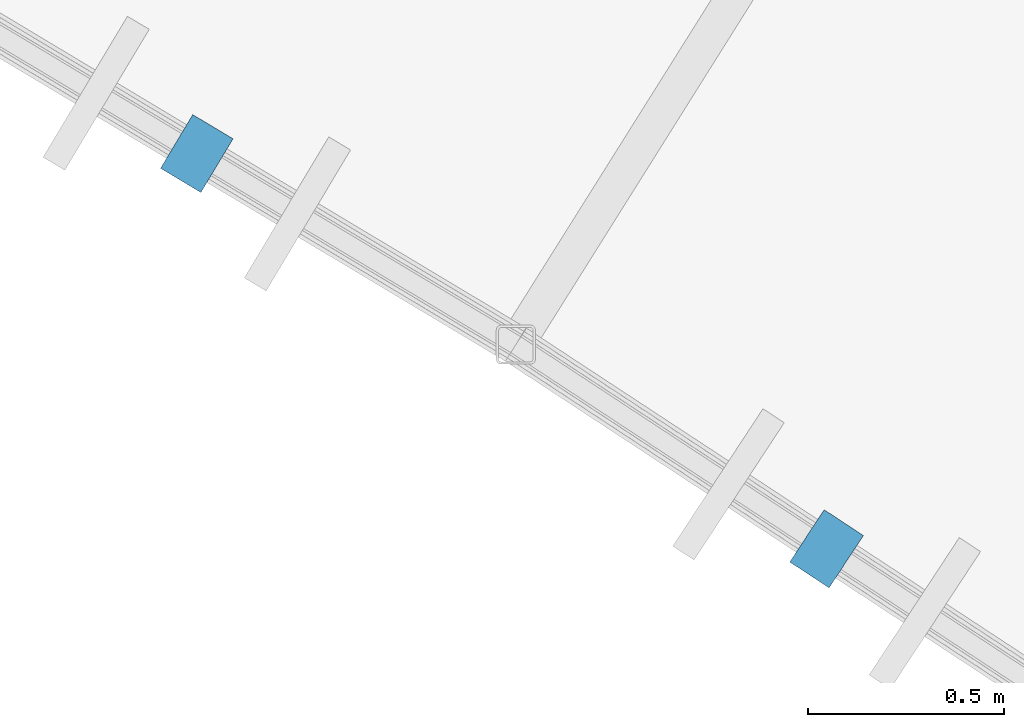
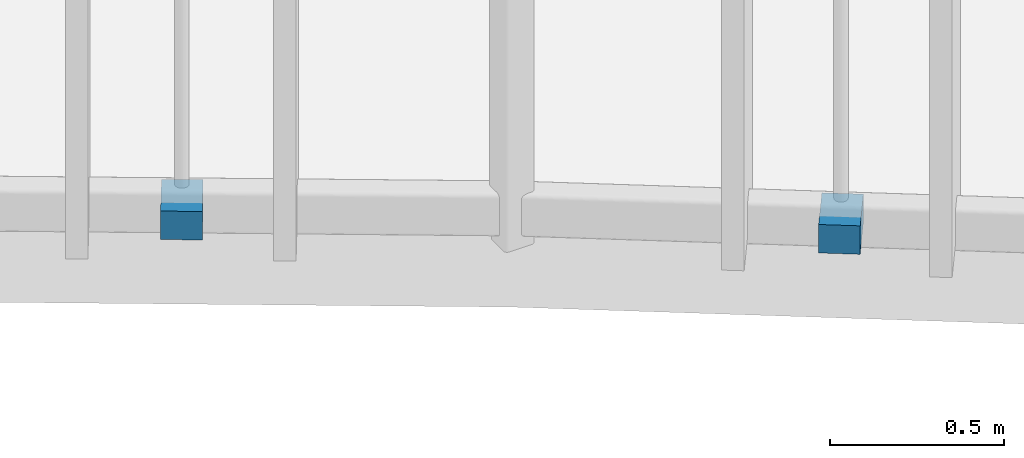
# One storey, part 121 of 137: 2 discrete accessories.
"""IFC4 building model written with IfcOpenShell, lengths in metres."""

from ifc_helpers import new_model, si_unit, direction, frame, origin, origin_2d, place, context, subcontext, project, spatial, rectangle, extrude, material, type_object, element, save


model = new_model("IFC4")

# Units and contexts
model_context = context("Model", 3, precision=1e-05, world=origin(), true_north=direction((0.0, 1.0)))
body_context = subcontext(model_context, "Body", "Model", "MODEL_VIEW")
ifc_project = project(units=[si_unit("LENGTHUNIT", "METRE"), si_unit("AREAUNIT", "SQUARE_METRE"), si_unit("VOLUMEUNIT", "CUBIC_METRE"), si_unit("PLANEANGLEUNIT", "RADIAN"), si_unit("MASSUNIT", "GRAM", prefix="KILO"), si_unit("POWERUNIT", "WATT"), si_unit("THERMODYNAMICTEMPERATUREUNIT", "KELVIN")], contexts=[model_context])

# Site, building, storey
site_placement = place(None, origin())
site = spatial("IfcSite", under=ifc_project, at=site_placement, CompositionType="ELEMENT")
building_placement = place(site_placement, origin())
building = spatial("IfcBuilding", under=site, at=building_placement, Name="Ruvembo Vaulted Housing Court", CompositionType="ELEMENT")
storey_placement = place(building_placement, frame((0.0, 0.0, 4.5)))
storey = spatial("IfcBuildingStorey", under=building, at=storey_placement, Name="L01", CompositionType="ELEMENT", Elevation=4.5)

# Discrete accessories
ifc_material = material(Name="Stainless Steel Grade 316", Category="steel")
discrete_accessory_type = type_object("IfcDiscreteAccessoryType", Name="ACC-BRACKET-SS", PredefinedType="BRACKET", material=ifc_material)
for number, where, z_axis, x_axis, name in (
    (1, (140.528076171875, 89.283203125, 0.030029296875), (0.0, 0.0, 1.0), (-0.513825768915, -0.857894561819, 0.0), "Stainless Louvre Rail Bracket #263"),
    (2, (142.137939453125, 88.27294921875, 0.030029296875), (0.0, 0.0, 1.0), (-0.548964466299, -0.835845688355, 0.0), "Stainless Louvre Rail Bracket #264"),
):
    element("IfcDiscreteAccessory", number, at=place(storey_placement, frame(where, z_axis=z_axis, x_axis=x_axis)), inside=storey, type_object=discrete_accessory_type, Name=name, PredefinedType="BRACKET", context=body_context, shape_type="SweptSolid", body=[
        extrude(rectangle(XDim=0.159912109375, YDim=0.1201171875, at=origin_2d()), origin(), (0.0, 0.0, 1.0), 0.10009765625),
    ])

save(model, "model.ifc")
